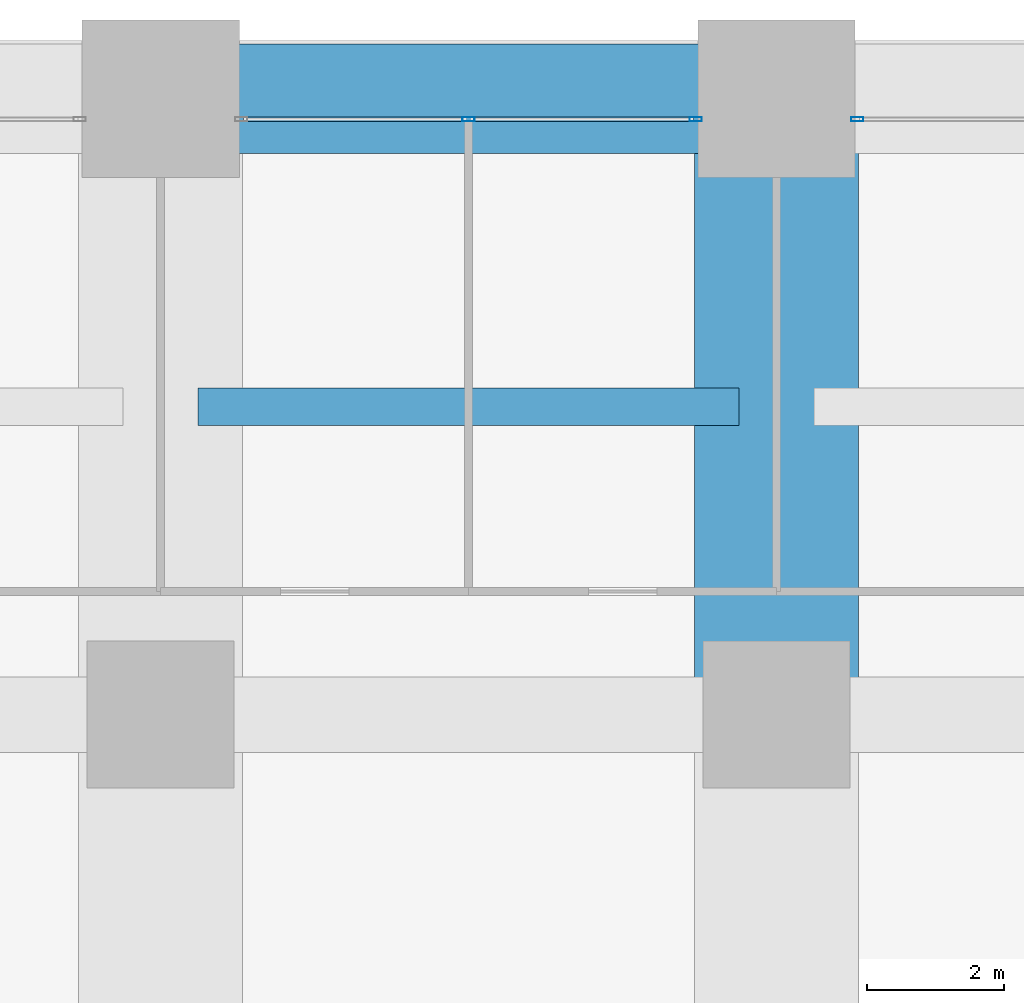
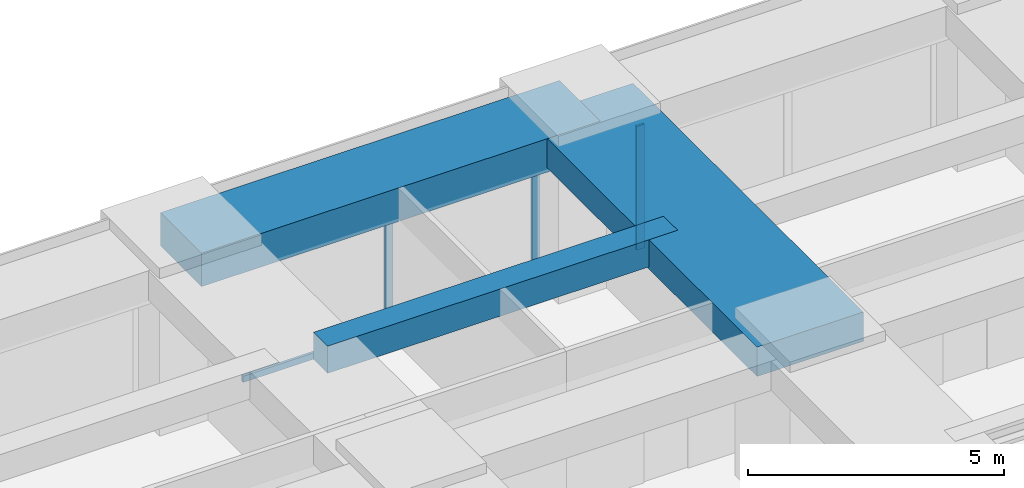
# One storey, part 34 of 44: 4 members, 3 beams, 2 elements without a shape of their own.
"""IFC4 building model written with IfcOpenShell, lengths in metres."""

from ifc_helpers import new_model, si_unit, direction, frame, origin, origin_2d, place, context, subcontext, project, spatial, rectangle, hollow_rectangle, extrude, material, material_profile, profile_set, type_object, element, aggregate, save


model = new_model("IFC4")

# Units and contexts
model_context = context("Model", 3, precision=1e-05, world=origin(), true_north=direction((0.0, 1.0)))
body_context = subcontext(model_context, "Body", "Model", "MODEL_VIEW")
ifc_project = project(units=[si_unit("LENGTHUNIT", "METRE"), si_unit("AREAUNIT", "SQUARE_METRE"), si_unit("VOLUMEUNIT", "CUBIC_METRE"), si_unit("PLANEANGLEUNIT", "RADIAN"), si_unit("MASSUNIT", "GRAM", prefix="KILO")], contexts=[model_context])

# Site, building, storey
site_placement = place(None, origin())
site = spatial("IfcSite", under=ifc_project, at=site_placement, CompositionType="ELEMENT")
building_placement = place(site_placement, origin())
building = spatial("IfcBuilding", under=site, at=building_placement, Name="Zorevar Civic Tower", CompositionType="ELEMENT")
storey_placement = place(building_placement, frame((0.0, 0.0, 63.800048828125)))
storey = spatial("IfcBuildingStorey", under=building, at=storey_placement, Name="L15", CompositionType="ELEMENT", Elevation=63.800048828125)

# Beams
ifc_material_1 = material(Name="Concrete C50/60", Category="concrete")
ifc_material_profile_1 = material_profile(ifc_material_1, rectangle(XDim=2.39990234375, YDim=0.699951171875, at=origin_2d()), Name="RC 2400x700")
ifc_profile_set_1 = profile_set([ifc_material_profile_1], Name="Concrete C50/60")
beam_type_1 = type_object("IfcBeamType", Name="Beam RC 2400x700", PredefinedType="BEAM", material=ifc_profile_set_1)
beam_1_placement = place(storey_placement, frame((36.0, 45.0, 3.39990234375), z_axis=(0.0, 1.0, 0.0), x_axis=(-1.0, 0.0, 0.0)))
element("IfcBeam", 1, at=beam_1_placement, inside=storey, type_object=beam_type_1, Name="Girder L16", PredefinedType="BEAM", context=body_context, shape_type="SweptSolid", body=[
    extrude(rectangle(XDim=2.39990234375, YDim=0.699951171875, at=origin_2d()), origin(), (0.0, 0.0, 1.0), 9.0),
])
ifc_material_2 = material(Name="Concrete C50/60", Category="concrete")
ifc_material_profile_2 = material_profile(ifc_material_2, rectangle(XDim=0.550048828125, YDim=0.64990234375, at=origin_2d()), Name="RC 550x650")
ifc_profile_set_2 = profile_set([ifc_material_profile_2], Name="Concrete C50/60")
beam_type_2 = type_object("IfcBeamType", Name="Beam RC 550x650", PredefinedType="BEAM", material=ifc_profile_set_2)
beam_2_placement = place(storey_placement, frame((27.550048828125, 49.5, 3.425048828125), z_axis=(1.0, 0.0, 0.0), x_axis=(0.0, 1.0, 0.0)))
element("IfcBeam", 2, at=beam_2_placement, inside=storey, type_object=beam_type_2, Name="Secondary beam L16", PredefinedType="BEAM", context=body_context, shape_type="SweptSolid", body=[
    extrude(rectangle(XDim=0.550048828125, YDim=0.64990234375, at=origin_2d()), origin(), (0.0, 0.0, 1.0), 7.89990234375),
])

# Curtain wall, members
ifc_material_3 = material(Name="Dark grey solar-control glass in black aluminium frame", Category="aluminium")
curtain_wall_type = type_object("IfcCurtainWallType", Name="Curtain wall CW2 low zone", PredefinedType="NOTDEFINED", material=ifc_material_3)
curtain_wall_1_placement = place(storey_placement, origin())
curtain_wall_1 = element("IfcCurtainWall", 3, at=curtain_wall_1_placement, inside=storey, type_object=curtain_wall_type, Name="CW2 L15", PredefinedType="NOTDEFINED")
ifc_material_4 = material(Name="Aluminium, black anodised", Category="aluminium")
ifc_material_profile_3 = material_profile(ifc_material_4, hollow_rectangle(XDim=0.06005859375, YDim=0.179931640625, WallThickness=0.00390625, at=origin_2d()), Name="AL 180x60x4")
ifc_profile_set_3 = profile_set([ifc_material_profile_3], Name="Aluminium, black anodised")
member_type_1 = type_object("IfcMemberType", Name="CW2 mullion AL 180x60x4", PredefinedType="MULLION", material=ifc_profile_set_3)
member_1_placement = place(storey_placement, frame((31.5, 53.699951171875, 0.06005859375), z_axis=(0.0, 0.0, 1.0), x_axis=(0.0, 1.0, 0.0)))
member_1 = element("IfcMember", 4, at=member_1_placement, type_object=member_type_1, Name="CW2 mullion 2", PredefinedType="MULLION", context=body_context, shape_type="SweptSolid", body=[
    extrude(hollow_rectangle(XDim=0.06005859375, YDim=0.179931640625, WallThickness=0.00390625, at=origin_2d()), origin(), (0.0, 0.0, 1.0), 2.889892578125),
])
member_2_placement = place(storey_placement, frame((34.820068359375, 53.699951171875, 0.0), z_axis=(0.0, 0.0, 1.0), x_axis=(0.0, 1.0, 0.0)))
member_2 = element("IfcMember", 5, at=member_2_placement, type_object=member_type_1, Name="CW2 mullion 3", PredefinedType="MULLION", context=body_context, shape_type="SweptSolid", body=[
    extrude(hollow_rectangle(XDim=0.06005859375, YDim=0.179931640625, WallThickness=0.00390625, at=origin_2d()), origin(), (0.0, 0.0, 1.0), 2.949951171875),
])

# Curtain wall, member
curtain_wall_2_placement = place(storey_placement, origin())
curtain_wall_2 = element("IfcCurtainWall", 6, at=curtain_wall_2_placement, inside=storey, type_object=curtain_wall_type, Name="CW2 L15", PredefinedType="NOTDEFINED")
member_3_placement = place(storey_placement, frame((37.179931640625, 53.699951171875, 0.0), z_axis=(0.0, 0.0, 1.0), x_axis=(0.0, 1.0, 0.0)))
member_3 = element("IfcMember", 7, at=member_3_placement, type_object=member_type_1, Name="CW2 mullion 1", PredefinedType="MULLION", context=body_context, shape_type="SweptSolid", body=[
    extrude(hollow_rectangle(XDim=0.06005859375, YDim=0.179931640625, WallThickness=0.00390625, at=origin_2d()), origin(), (0.0, 0.0, 1.0), 2.949951171875),
])
aggregate(curtain_wall_2, [member_3])

# Member
ifc_material_5 = material(Name="Aluminium, black anodised", Category="aluminium")
ifc_material_profile_4 = material_profile(ifc_material_5, hollow_rectangle(XDim=0.06005859375, YDim=0.14990234375, WallThickness=0.00390625, at=origin_2d()), Name="AL 150x60x4")
ifc_profile_set_4 = profile_set([ifc_material_profile_4], Name="Aluminium, black anodised")
member_type_2 = type_object("IfcMemberType", Name="CW2 transom AL 150x60x4", PredefinedType="USERDEFINED", material=ifc_profile_set_4)
member_4_placement = place(storey_placement, frame((28.2099609375, 53.699951171875, 0.030029296875), z_axis=(1.0, 0.0, 0.0), x_axis=(0.0, 1.0, 0.0)))
member_4 = element("IfcMember", 8, at=member_4_placement, type_object=member_type_2, Name="CW2 sill transom", ObjectType="TRANSOM", PredefinedType="USERDEFINED", context=body_context, shape_type="SweptSolid", body=[
    extrude(hollow_rectangle(XDim=0.06005859375, YDim=0.14990234375, WallThickness=0.00390625, at=origin_2d()), origin(), (0.0, 0.0, 1.0), 6.580078125),
])

aggregate(curtain_wall_1, [member_1, member_2, member_4])

# Beam
ifc_material_6 = material(Name="Concrete C50/60", Category="concrete")
ifc_material_profile_5 = material_profile(ifc_material_6, rectangle(XDim=1.60009765625, YDim=0.800048828125, at=origin_2d()), Name="RC 1600x800")
ifc_profile_set_5 = profile_set([ifc_material_profile_5], Name="Concrete C50/60")
beam_type_3 = type_object("IfcBeamType", Name="Edge beam RC 1600x800", PredefinedType="SPANDREL", material=ifc_profile_set_5)
beam_3_placement = place(storey_placement, frame((27.0, 54.0, 3.349853515625), z_axis=(1.0, 0.0, 0.0), x_axis=(0.0, 1.0, 0.0)))
element("IfcBeam", 9, at=beam_3_placement, inside=storey, type_object=beam_type_3, Name="Edge beam L16", PredefinedType="SPANDREL", context=body_context, shape_type="SweptSolid", body=[
    extrude(rectangle(XDim=1.60009765625, YDim=0.800048828125, at=origin_2d()), origin(), (0.0, 0.0, 1.0), 9.0),
])

save(model, "model.ifc")
